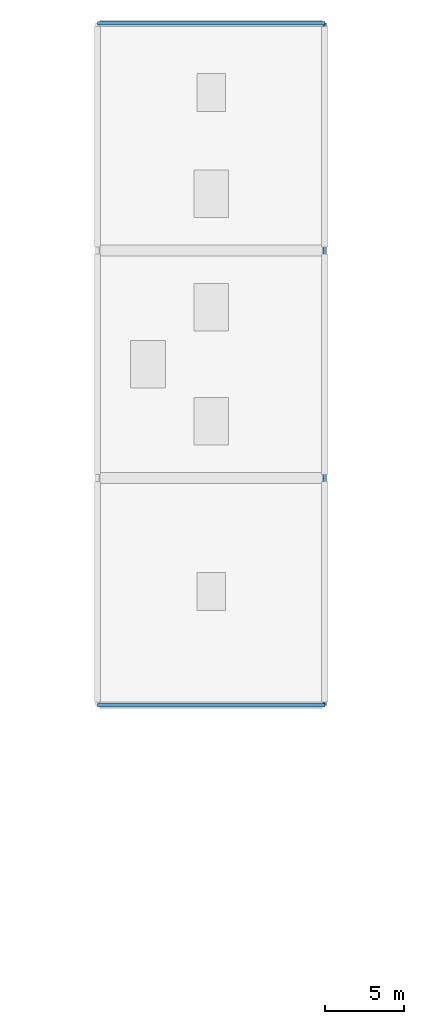
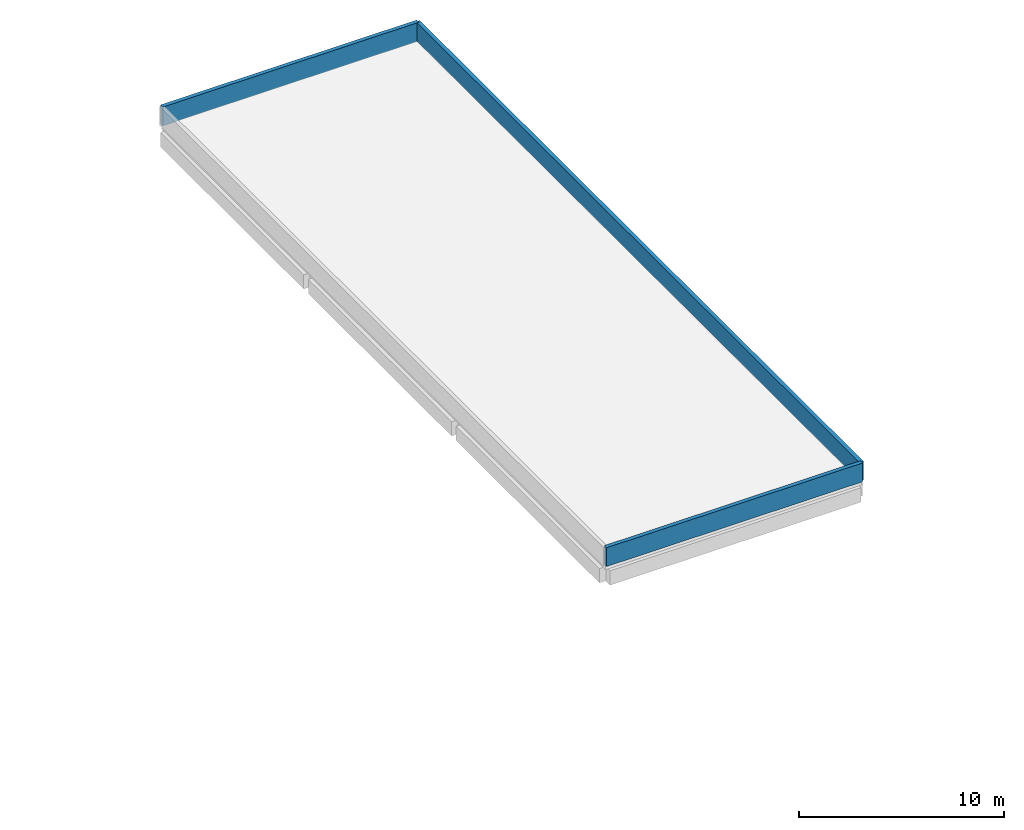
# One storey, part 13 of 23: 3 walls.
"""IFC4 building model written with IfcOpenShell, lengths in metres."""

from ifc_helpers import new_model, si_unit, direction, frame, frame_2d, origin, place, context, subcontext, project, spatial, rectangle, extrude, material, layer, layer_set, type_object, element, save


model = new_model("IFC4")

# Units and contexts
model_context = context("Model", 3, precision=1e-05, world=origin(), true_north=direction((0.0, 1.0)))
body_context = subcontext(model_context, "Body", "Model", "MODEL_VIEW")
ifc_project = project(units=[si_unit("LENGTHUNIT", "METRE"), si_unit("AREAUNIT", "SQUARE_METRE"), si_unit("VOLUMEUNIT", "CUBIC_METRE"), si_unit("PLANEANGLEUNIT", "RADIAN"), si_unit("MASSUNIT", "GRAM", prefix="KILO")], contexts=[model_context])

# Site, building, storey
site_placement = place(None, origin())
site = spatial("IfcSite", under=ifc_project, at=site_placement, CompositionType="ELEMENT")
building_placement = place(site_placement, origin())
building = spatial("IfcBuilding", under=site, at=building_placement, Name="Cendralis Lancet Convention Centre", CompositionType="ELEMENT")
storey_placement = place(building_placement, frame((0.0, 0.0, 19.800048828125)))
storey = spatial("IfcBuildingStorey", under=building, at=storey_placement, Name="L04", CompositionType="ELEMENT", Elevation=19.800048828125)

# Walls
ifc_material = material(Name="Buff sandstone ashlar and Concrete G40 (C40/50)", Category="masonry")
ifc_layer = layer(ifc_material, 0.219970703125, Name="Buff sandstone ashlar and Concrete G40 (C40/50)")
ifc_layer_set = layer_set([ifc_layer], Name="Buff sandstone ashlar and Concrete G40 (C40/50)")
wall_type = type_object("IfcWallType", Name="ARC-EW-P220", PredefinedType="PARAPET", material=ifc_layer_set)
wall_1_placement = place(storey_placement, frame((124.800048828125, 93.60009765625, 0.0), z_axis=(0.0, 0.0, 1.0), x_axis=(1.0, 0.0, 0.0)))
element("IfcWall", 1, at=wall_1_placement, inside=storey, type_object=wall_type, Name="L04 Roof Parapet Wall PR-01 #001", PredefinedType="PARAPET", context=body_context, shape_type="SweptSolid", body=[
    extrude(rectangle(XDim=14.39990234375, YDim=0.219970703125, at=frame_2d((7.199951171875, 0.0))), origin(), (0.0, 0.0, 1.0), 1.119873046875),
])
wall_2_placement = place(storey_placement, frame((139.199951171875, 93.60009765625, 0.0), z_axis=(0.0, 0.0, 1.0), x_axis=(0.0, 1.0, 0.0)))
element("IfcWall", 2, at=wall_2_placement, inside=storey, type_object=wall_type, Name="L04 Roof Parapet Wall PR-01 #002", PredefinedType="PARAPET", context=body_context, shape_type="SweptSolid", body=[
    extrude(rectangle(XDim=43.199951171875, YDim=0.219970703125, at=frame_2d((21.60009765625, 0.0))), origin(), (0.0, 0.0, 1.0), 1.119873046875),
])
wall_3_placement = place(storey_placement, frame((139.199951171875, 136.800048828125, 0.0), z_axis=(0.0, 0.0, 1.0), x_axis=(-1.0, 0.0, 0.0)))
element("IfcWall", 3, at=wall_3_placement, inside=storey, type_object=wall_type, Name="L04 Roof Parapet Wall PR-01 #003", PredefinedType="PARAPET", context=body_context, shape_type="SweptSolid", body=[
    extrude(rectangle(XDim=14.39990234375, YDim=0.219970703125, at=frame_2d((7.199951171875, 0.0))), origin(), (0.0, 0.0, 1.0), 1.119873046875),
])

save(model, "model.ifc")
